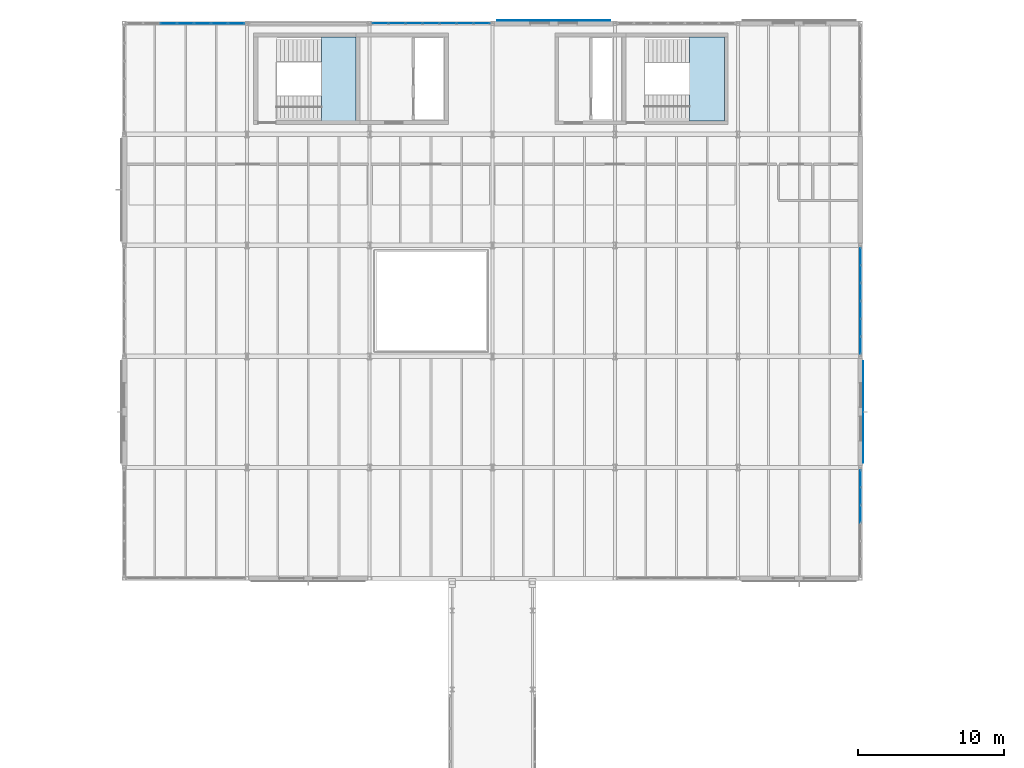
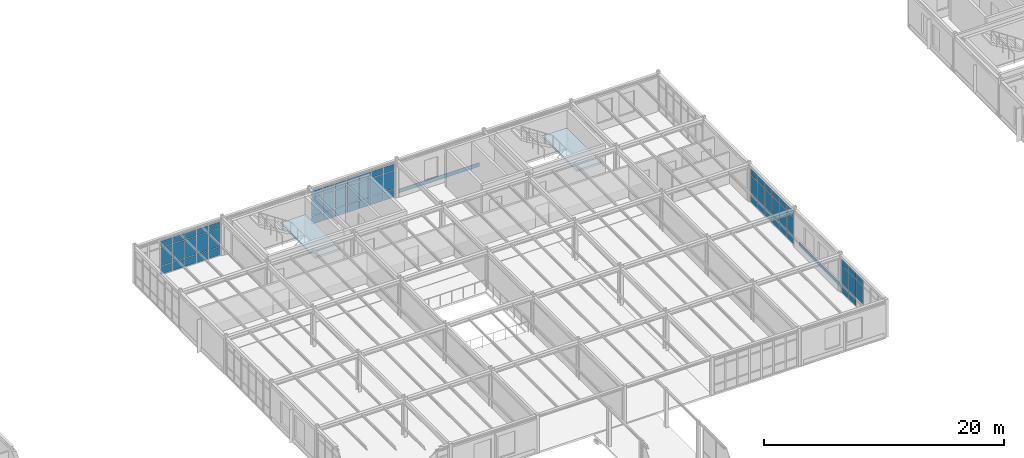
# One storey, part 148 of 189: 64 plates, 2 slabs, 6 elements without a shape of their own.
"""IFC4 building model written with IfcOpenShell, lengths in metres."""

from ifc_helpers import new_model, si_unit, direction, frame, origin, origin_2d, place, context, subcontext, project, spatial, polyline, rectangle, outline, extrude, material, layer, layer_set, type_object, element, aggregate, save


model = new_model("IFC4")

# Units and contexts
model_context = context("Model", 3, precision=1e-05, world=origin(), true_north=direction((0.0, 1.0)))
body_context = subcontext(model_context, "Body", "Model", "MODEL_VIEW")
ifc_project = project(units=[si_unit("LENGTHUNIT", "METRE"), si_unit("AREAUNIT", "SQUARE_METRE"), si_unit("VOLUMEUNIT", "CUBIC_METRE"), si_unit("PLANEANGLEUNIT", "RADIAN"), si_unit("MASSUNIT", "GRAM", prefix="KILO")], contexts=[model_context])

# Site, building, storey
site_placement = place(None, origin())
site = spatial("IfcSite", under=ifc_project, at=site_placement, CompositionType="ELEMENT")
building_placement = place(site_placement, origin())
building = spatial("IfcBuilding", under=site, at=building_placement, Name="Montecoro Central Library", CompositionType="ELEMENT")
storey_placement = place(building_placement, frame((0.0, 0.0, 9.179931640625)))
storey = spatial("IfcBuildingStorey", under=building, at=storey_placement, Name="L02", CompositionType="ELEMENT", Elevation=9.179931640625)

# Curtain wall, plates
ifc_material_1 = material(Name="Bronze-anodised aluminium and low-E glazing", Category="aluminium")
ifc_layer_1 = layer(ifc_material_1, 0.159912109375)
ifc_layer_set_1 = layer_set([ifc_layer_1], Name="Bronze-anodised aluminium and low-E glazing")
curtain_wall_type_1 = type_object("IfcCurtainWallType", Name="CWT-015", PredefinedType="NOTDEFINED", material=ifc_layer_set_1)
curtain_wall_1_placement = place(storey_placement, origin())
curtain_wall_1 = element("IfcCurtainWall", 1, at=curtain_wall_1_placement, inside=storey, type_object=curtain_wall_type_1, Name="V2-L02-CW-E2", PredefinedType="NOTDEFINED")
ifc_material_2 = material(Name="Laminated low-E double glazing", Category="glass")
ifc_layer_2 = layer(ifc_material_2, 0.02587890625)
ifc_layer_set_2 = layer_set([ifc_layer_2], Name="Laminated low-E double glazing")
plate_type_1 = type_object("IfcPlateType", Name="CWP-GLZ-01", PredefinedType="CURTAIN_PANEL", material=ifc_layer_set_2)
plate_1_placement = place(storey_placement, frame((116.800048828125, 96.959228515625, 0.06005859375), z_axis=(0.0, 0.0, 1.0), x_axis=(0.0, 1.0, 0.0)))
plate_1 = element("IfcPlate", 2, at=plate_1_placement, type_object=plate_type_1, Name="CW-015 panel 1.1", PredefinedType="CURTAIN_PANEL", context=body_context, shape_type="SweptSolid", body=[
    extrude(rectangle(XDim=1.13232421875, YDim=0.02587890625, at=origin_2d()), origin(), (0.0, 0.0, 1.0), 0.81005859375),
])
plate_2_placement = place(storey_placement, frame((116.800048828125, 96.959228515625, 0.93017578125), z_axis=(0.0, 0.0, 1.0), x_axis=(0.0, 1.0, 0.0)))
plate_2 = element("IfcPlate", 3, at=plate_2_placement, type_object=plate_type_1, Name="CW-015 panel 1.2", PredefinedType="CURTAIN_PANEL", context=body_context, shape_type="SweptSolid", body=[
    extrude(rectangle(XDim=1.13232421875, YDim=0.02587890625, at=origin_2d()), origin(), (0.0, 0.0, 1.0), 1.820068359375),
])
plate_3_placement = place(storey_placement, frame((116.800048828125, 96.959228515625, 2.81005859375), z_axis=(0.0, 0.0, 1.0), x_axis=(0.0, 1.0, 0.0)))
plate_3 = element("IfcPlate", 4, at=plate_3_placement, type_object=plate_type_1, Name="CW-015 panel 1.3", PredefinedType="CURTAIN_PANEL", context=body_context, shape_type="SweptSolid", body=[
    extrude(rectangle(XDim=1.13232421875, YDim=0.02587890625, at=origin_2d()), origin(), (0.0, 0.0, 1.0), 0.610107421875),
])
plate_4_placement = place(storey_placement, frame((116.800048828125, 98.16650390625, 0.06005859375), z_axis=(0.0, 0.0, 1.0), x_axis=(0.0, 1.0, 0.0)))
plate_4 = element("IfcPlate", 5, at=plate_4_placement, type_object=plate_type_1, Name="CW-015 panel 2.1", PredefinedType="CURTAIN_PANEL", context=body_context, shape_type="SweptSolid", body=[
    extrude(rectangle(XDim=1.162353515625, YDim=0.02587890625, at=origin_2d()), origin(), (0.0, 0.0, 1.0), 0.81005859375),
])
plate_5_placement = place(storey_placement, frame((116.800048828125, 98.16650390625, 0.93017578125), z_axis=(0.0, 0.0, 1.0), x_axis=(0.0, 1.0, 0.0)))
plate_5 = element("IfcPlate", 6, at=plate_5_placement, type_object=plate_type_1, Name="CW-015 panel 2.2", PredefinedType="CURTAIN_PANEL", context=body_context, shape_type="SweptSolid", body=[
    extrude(rectangle(XDim=1.162353515625, YDim=0.02587890625, at=origin_2d()), origin(), (0.0, 0.0, 1.0), 1.820068359375),
])
plate_6_placement = place(storey_placement, frame((116.800048828125, 98.16650390625, 2.81005859375), z_axis=(0.0, 0.0, 1.0), x_axis=(0.0, 1.0, 0.0)))
plate_6 = element("IfcPlate", 7, at=plate_6_placement, type_object=plate_type_1, Name="CW-015 panel 2.3", PredefinedType="CURTAIN_PANEL", context=body_context, shape_type="SweptSolid", body=[
    extrude(rectangle(XDim=1.162353515625, YDim=0.02587890625, at=origin_2d()), origin(), (0.0, 0.0, 1.0), 0.610107421875),
])
plate_7_placement = place(storey_placement, frame((116.800048828125, 99.388916015625, 0.06005859375), z_axis=(0.0, 0.0, 1.0), x_axis=(0.0, 1.0, 0.0)))
plate_7 = element("IfcPlate", 8, at=plate_7_placement, type_object=plate_type_1, Name="CW-015 panel 3.1", PredefinedType="CURTAIN_PANEL", context=body_context, shape_type="SweptSolid", body=[
    extrude(rectangle(XDim=1.162353515625, YDim=0.02587890625, at=origin_2d()), origin(), (0.0, 0.0, 1.0), 0.81005859375),
])
plate_8_placement = place(storey_placement, frame((116.800048828125, 99.388916015625, 0.93017578125), z_axis=(0.0, 0.0, 1.0), x_axis=(0.0, 1.0, 0.0)))
plate_8 = element("IfcPlate", 9, at=plate_8_placement, type_object=plate_type_1, Name="CW-015 panel 3.2", PredefinedType="CURTAIN_PANEL", context=body_context, shape_type="SweptSolid", body=[
    extrude(rectangle(XDim=1.162353515625, YDim=0.02587890625, at=origin_2d()), origin(), (0.0, 0.0, 1.0), 1.820068359375),
])
plate_9_placement = place(storey_placement, frame((116.800048828125, 99.388916015625, 2.81005859375), z_axis=(0.0, 0.0, 1.0), x_axis=(0.0, 1.0, 0.0)))
plate_9 = element("IfcPlate", 10, at=plate_9_placement, type_object=plate_type_1, Name="CW-015 panel 3.3", PredefinedType="CURTAIN_PANEL", context=body_context, shape_type="SweptSolid", body=[
    extrude(rectangle(XDim=1.162353515625, YDim=0.02587890625, at=origin_2d()), origin(), (0.0, 0.0, 1.0), 0.610107421875),
])
plate_10_placement = place(storey_placement, frame((116.800048828125, 100.611083984375, 0.06005859375), z_axis=(0.0, 0.0, 1.0), x_axis=(0.0, 1.0, 0.0)))
plate_10 = element("IfcPlate", 11, at=plate_10_placement, type_object=plate_type_1, Name="CW-015 panel 4.1", PredefinedType="CURTAIN_PANEL", context=body_context, shape_type="SweptSolid", body=[
    extrude(rectangle(XDim=1.162353515625, YDim=0.02587890625, at=origin_2d()), origin(), (0.0, 0.0, 1.0), 0.81005859375),
])
plate_11_placement = place(storey_placement, frame((116.800048828125, 100.611083984375, 0.93017578125), z_axis=(0.0, 0.0, 1.0), x_axis=(0.0, 1.0, 0.0)))
plate_11 = element("IfcPlate", 12, at=plate_11_placement, type_object=plate_type_1, Name="CW-015 panel 4.2", PredefinedType="CURTAIN_PANEL", context=body_context, shape_type="SweptSolid", body=[
    extrude(rectangle(XDim=1.162353515625, YDim=0.02587890625, at=origin_2d()), origin(), (0.0, 0.0, 1.0), 1.820068359375),
])
plate_12_placement = place(storey_placement, frame((116.800048828125, 100.611083984375, 2.81005859375), z_axis=(0.0, 0.0, 1.0), x_axis=(0.0, 1.0, 0.0)))
plate_12 = element("IfcPlate", 13, at=plate_12_placement, type_object=plate_type_1, Name="CW-015 panel 4.3", PredefinedType="CURTAIN_PANEL", context=body_context, shape_type="SweptSolid", body=[
    extrude(rectangle(XDim=1.162353515625, YDim=0.02587890625, at=origin_2d()), origin(), (0.0, 0.0, 1.0), 0.610107421875),
])
plate_13_placement = place(storey_placement, frame((116.800048828125, 101.83349609375, 0.06005859375), z_axis=(0.0, 0.0, 1.0), x_axis=(0.0, 1.0, 0.0)))
plate_13 = element("IfcPlate", 14, at=plate_13_placement, type_object=plate_type_1, Name="CW-015 panel 5.1", PredefinedType="CURTAIN_PANEL", context=body_context, shape_type="SweptSolid", body=[
    extrude(rectangle(XDim=1.162353515625, YDim=0.02587890625, at=origin_2d()), origin(), (0.0, 0.0, 1.0), 0.81005859375),
])
plate_14_placement = place(storey_placement, frame((116.800048828125, 101.83349609375, 0.93017578125), z_axis=(0.0, 0.0, 1.0), x_axis=(0.0, 1.0, 0.0)))
plate_14 = element("IfcPlate", 15, at=plate_14_placement, type_object=plate_type_1, Name="CW-015 panel 5.2", PredefinedType="CURTAIN_PANEL", context=body_context, shape_type="SweptSolid", body=[
    extrude(rectangle(XDim=1.162353515625, YDim=0.02587890625, at=origin_2d()), origin(), (0.0, 0.0, 1.0), 1.820068359375),
])
plate_15_placement = place(storey_placement, frame((116.800048828125, 101.83349609375, 2.81005859375), z_axis=(0.0, 0.0, 1.0), x_axis=(0.0, 1.0, 0.0)))
plate_15 = element("IfcPlate", 16, at=plate_15_placement, type_object=plate_type_1, Name="CW-015 panel 5.3", PredefinedType="CURTAIN_PANEL", context=body_context, shape_type="SweptSolid", body=[
    extrude(rectangle(XDim=1.162353515625, YDim=0.02587890625, at=origin_2d()), origin(), (0.0, 0.0, 1.0), 0.610107421875),
])
plate_16_placement = place(storey_placement, frame((116.800048828125, 103.040771484375, 0.06005859375), z_axis=(0.0, 0.0, 1.0), x_axis=(0.0, 1.0, 0.0)))
plate_16 = element("IfcPlate", 17, at=plate_16_placement, type_object=plate_type_1, Name="CW-015 panel 6.1", PredefinedType="CURTAIN_PANEL", context=body_context, shape_type="SweptSolid", body=[
    extrude(rectangle(XDim=1.13232421875, YDim=0.02587890625, at=origin_2d()), origin(), (0.0, 0.0, 1.0), 0.81005859375),
])
plate_17_placement = place(storey_placement, frame((116.800048828125, 103.040771484375, 0.93017578125), z_axis=(0.0, 0.0, 1.0), x_axis=(0.0, 1.0, 0.0)))
plate_17 = element("IfcPlate", 18, at=plate_17_placement, type_object=plate_type_1, Name="CW-015 panel 6.2", PredefinedType="CURTAIN_PANEL", context=body_context, shape_type="SweptSolid", body=[
    extrude(rectangle(XDim=1.13232421875, YDim=0.02587890625, at=origin_2d()), origin(), (0.0, 0.0, 1.0), 1.820068359375),
])
plate_18_placement = place(storey_placement, frame((116.800048828125, 103.040771484375, 2.81005859375), z_axis=(0.0, 0.0, 1.0), x_axis=(0.0, 1.0, 0.0)))
plate_18 = element("IfcPlate", 19, at=plate_18_placement, type_object=plate_type_1, Name="CW-015 panel 6.3", PredefinedType="CURTAIN_PANEL", context=body_context, shape_type="SweptSolid", body=[
    extrude(rectangle(XDim=1.13232421875, YDim=0.02587890625, at=origin_2d()), origin(), (0.0, 0.0, 1.0), 0.610107421875),
])
aggregate(curtain_wall_1, [plate_1, plate_2, plate_3, plate_4, plate_5, plate_6, plate_7, plate_8, plate_9, plate_10, plate_11, plate_12, plate_13, plate_14, plate_15, plate_16, plate_17, plate_18])

ifc_layer_3 = layer(ifc_material_1, 0.159912109375)
ifc_layer_set_3 = layer_set([ifc_layer_3], Name="Bronze-anodised aluminium and low-E glazing")
curtain_wall_type_2 = type_object("IfcCurtainWallType", Name="CWT-016", PredefinedType="NOTDEFINED", material=ifc_layer_set_3)
curtain_wall_2_placement = place(storey_placement, origin())
curtain_wall_2 = element("IfcCurtainWall", 20, at=curtain_wall_2_placement, inside=storey, type_object=curtain_wall_type_2, Name="V2-L02-CW-N2", PredefinedType="NOTDEFINED")
plate_19_placement = place(storey_placement, frame((90.87109375, 119.0, 0.06005859375), z_axis=(0.0, 0.0, 1.0), x_axis=(-1.0, 0.0, 0.0)))
plate_19 = element("IfcPlate", 21, at=plate_19_placement, type_object=plate_type_1, Name="CW-016 panel 1.1", PredefinedType="CURTAIN_PANEL", context=body_context, shape_type="SweptSolid", body=[
    extrude(rectangle(XDim=1.072021484375, YDim=0.02587890625, at=origin_2d()), origin(), (0.0, 0.0, 1.0), 0.81005859375),
])
plate_20_placement = place(storey_placement, frame((90.87109375, 119.0, 0.93017578125), z_axis=(0.0, 0.0, 1.0), x_axis=(-1.0, 0.0, 0.0)))
plate_20 = element("IfcPlate", 22, at=plate_20_placement, type_object=plate_type_1, Name="CW-016 panel 1.2", PredefinedType="CURTAIN_PANEL", context=body_context, shape_type="SweptSolid", body=[
    extrude(rectangle(XDim=1.072021484375, YDim=0.02587890625, at=origin_2d()), origin(), (0.0, 0.0, 1.0), 1.820068359375),
])
plate_21_placement = place(storey_placement, frame((90.87109375, 119.0, 2.81005859375), z_axis=(0.0, 0.0, 1.0), x_axis=(-1.0, 0.0, 0.0)))
plate_21 = element("IfcPlate", 23, at=plate_21_placement, type_object=plate_type_1, Name="CW-016 panel 1.3", PredefinedType="CURTAIN_PANEL", context=body_context, shape_type="SweptSolid", body=[
    extrude(rectangle(XDim=1.072021484375, YDim=0.02587890625, at=origin_2d()), origin(), (0.0, 0.0, 1.0), 0.610107421875),
])
plate_22_placement = place(storey_placement, frame((89.72412109375, 119.0, 0.06005859375), z_axis=(0.0, 0.0, 1.0), x_axis=(-1.0, 0.0, 0.0)))
plate_22 = element("IfcPlate", 24, at=plate_22_placement, type_object=plate_type_1, Name="CW-016 panel 2.1", PredefinedType="CURTAIN_PANEL", context=body_context, shape_type="SweptSolid", body=[
    extrude(rectangle(XDim=1.10205078125, YDim=0.02587890625, at=origin_2d()), origin(), (0.0, 0.0, 1.0), 0.81005859375),
])
plate_23_placement = place(storey_placement, frame((89.72412109375, 119.0, 0.93017578125), z_axis=(0.0, 0.0, 1.0), x_axis=(-1.0, 0.0, 0.0)))
plate_23 = element("IfcPlate", 25, at=plate_23_placement, type_object=plate_type_1, Name="CW-016 panel 2.2", PredefinedType="CURTAIN_PANEL", context=body_context, shape_type="SweptSolid", body=[
    extrude(rectangle(XDim=1.10205078125, YDim=0.02587890625, at=origin_2d()), origin(), (0.0, 0.0, 1.0), 1.820068359375),
])
plate_24_placement = place(storey_placement, frame((89.72412109375, 119.0, 2.81005859375), z_axis=(0.0, 0.0, 1.0), x_axis=(-1.0, 0.0, 0.0)))
plate_24 = element("IfcPlate", 26, at=plate_24_placement, type_object=plate_type_1, Name="CW-016 panel 2.3", PredefinedType="CURTAIN_PANEL", context=body_context, shape_type="SweptSolid", body=[
    extrude(rectangle(XDim=1.10205078125, YDim=0.02587890625, at=origin_2d()), origin(), (0.0, 0.0, 1.0), 0.610107421875),
])
plate_25_placement = place(storey_placement, frame((88.56201171875, 119.0, 0.06005859375), z_axis=(0.0, 0.0, 1.0), x_axis=(-1.0, 0.0, 0.0)))
plate_25 = element("IfcPlate", 27, at=plate_25_placement, type_object=plate_type_1, Name="CW-016 panel 3.1", PredefinedType="CURTAIN_PANEL", context=body_context, shape_type="SweptSolid", body=[
    extrude(rectangle(XDim=1.10205078125, YDim=0.02587890625, at=origin_2d()), origin(), (0.0, 0.0, 1.0), 0.81005859375),
])
plate_26_placement = place(storey_placement, frame((88.56201171875, 119.0, 0.93017578125), z_axis=(0.0, 0.0, 1.0), x_axis=(-1.0, 0.0, 0.0)))
plate_26 = element("IfcPlate", 28, at=plate_26_placement, type_object=plate_type_1, Name="CW-016 panel 3.2", PredefinedType="CURTAIN_PANEL", context=body_context, shape_type="SweptSolid", body=[
    extrude(rectangle(XDim=1.10205078125, YDim=0.02587890625, at=origin_2d()), origin(), (0.0, 0.0, 1.0), 1.820068359375),
])
plate_27_placement = place(storey_placement, frame((88.56201171875, 119.0, 2.81005859375), z_axis=(0.0, 0.0, 1.0), x_axis=(-1.0, 0.0, 0.0)))
plate_27 = element("IfcPlate", 29, at=plate_27_placement, type_object=plate_type_1, Name="CW-016 panel 3.3", PredefinedType="CURTAIN_PANEL", context=body_context, shape_type="SweptSolid", body=[
    extrude(rectangle(XDim=1.10205078125, YDim=0.02587890625, at=origin_2d()), origin(), (0.0, 0.0, 1.0), 0.610107421875),
])
plate_28_placement = place(storey_placement, frame((87.39990234375, 119.0, 0.06005859375), z_axis=(0.0, 0.0, 1.0), x_axis=(-1.0, 0.0, 0.0)))
plate_28 = element("IfcPlate", 30, at=plate_28_placement, type_object=plate_type_1, Name="CW-016 panel 4.1", PredefinedType="CURTAIN_PANEL", context=body_context, shape_type="SweptSolid", body=[
    extrude(rectangle(XDim=1.10205078125, YDim=0.02587890625, at=origin_2d()), origin(), (0.0, 0.0, 1.0), 0.81005859375),
])
plate_29_placement = place(storey_placement, frame((87.39990234375, 119.0, 0.93017578125), z_axis=(0.0, 0.0, 1.0), x_axis=(-1.0, 0.0, 0.0)))
plate_29 = element("IfcPlate", 31, at=plate_29_placement, type_object=plate_type_1, Name="CW-016 panel 4.2", PredefinedType="CURTAIN_PANEL", context=body_context, shape_type="SweptSolid", body=[
    extrude(rectangle(XDim=1.10205078125, YDim=0.02587890625, at=origin_2d()), origin(), (0.0, 0.0, 1.0), 1.820068359375),
])
plate_30_placement = place(storey_placement, frame((87.39990234375, 119.0, 2.81005859375), z_axis=(0.0, 0.0, 1.0), x_axis=(-1.0, 0.0, 0.0)))
plate_30 = element("IfcPlate", 32, at=plate_30_placement, type_object=plate_type_1, Name="CW-016 panel 4.3", PredefinedType="CURTAIN_PANEL", context=body_context, shape_type="SweptSolid", body=[
    extrude(rectangle(XDim=1.10205078125, YDim=0.02587890625, at=origin_2d()), origin(), (0.0, 0.0, 1.0), 0.610107421875),
])
plate_31_placement = place(storey_placement, frame((86.238037109375, 119.0, 0.06005859375), z_axis=(0.0, 0.0, 1.0), x_axis=(-1.0, 0.0, 0.0)))
plate_31 = element("IfcPlate", 33, at=plate_31_placement, type_object=plate_type_1, Name="CW-016 panel 5.1", PredefinedType="CURTAIN_PANEL", context=body_context, shape_type="SweptSolid", body=[
    extrude(rectangle(XDim=1.10205078125, YDim=0.02587890625, at=origin_2d()), origin(), (0.0, 0.0, 1.0), 0.81005859375),
])
plate_32_placement = place(storey_placement, frame((86.238037109375, 119.0, 0.93017578125), z_axis=(0.0, 0.0, 1.0), x_axis=(-1.0, 0.0, 0.0)))
plate_32 = element("IfcPlate", 34, at=plate_32_placement, type_object=plate_type_1, Name="CW-016 panel 5.2", PredefinedType="CURTAIN_PANEL", context=body_context, shape_type="SweptSolid", body=[
    extrude(rectangle(XDim=1.10205078125, YDim=0.02587890625, at=origin_2d()), origin(), (0.0, 0.0, 1.0), 1.820068359375),
])
plate_33_placement = place(storey_placement, frame((86.238037109375, 119.0, 2.81005859375), z_axis=(0.0, 0.0, 1.0), x_axis=(-1.0, 0.0, 0.0)))
plate_33 = element("IfcPlate", 35, at=plate_33_placement, type_object=plate_type_1, Name="CW-016 panel 5.3", PredefinedType="CURTAIN_PANEL", context=body_context, shape_type="SweptSolid", body=[
    extrude(rectangle(XDim=1.10205078125, YDim=0.02587890625, at=origin_2d()), origin(), (0.0, 0.0, 1.0), 0.610107421875),
])
plate_34_placement = place(storey_placement, frame((85.075927734375, 119.0, 0.06005859375), z_axis=(0.0, 0.0, 1.0), x_axis=(-1.0, 0.0, 0.0)))
plate_34 = element("IfcPlate", 36, at=plate_34_placement, type_object=plate_type_1, Name="CW-016 panel 6.1", PredefinedType="CURTAIN_PANEL", context=body_context, shape_type="SweptSolid", body=[
    extrude(rectangle(XDim=1.10205078125, YDim=0.02587890625, at=origin_2d()), origin(), (0.0, 0.0, 1.0), 0.81005859375),
])
plate_35_placement = place(storey_placement, frame((85.075927734375, 119.0, 0.93017578125), z_axis=(0.0, 0.0, 1.0), x_axis=(-1.0, 0.0, 0.0)))
plate_35 = element("IfcPlate", 37, at=plate_35_placement, type_object=plate_type_1, Name="CW-016 panel 6.2", PredefinedType="CURTAIN_PANEL", context=body_context, shape_type="SweptSolid", body=[
    extrude(rectangle(XDim=1.10205078125, YDim=0.02587890625, at=origin_2d()), origin(), (0.0, 0.0, 1.0), 1.820068359375),
])
plate_36_placement = place(storey_placement, frame((85.075927734375, 119.0, 2.81005859375), z_axis=(0.0, 0.0, 1.0), x_axis=(-1.0, 0.0, 0.0)))
plate_36 = element("IfcPlate", 38, at=plate_36_placement, type_object=plate_type_1, Name="CW-016 panel 6.3", PredefinedType="CURTAIN_PANEL", context=body_context, shape_type="SweptSolid", body=[
    extrude(rectangle(XDim=1.10205078125, YDim=0.02587890625, at=origin_2d()), origin(), (0.0, 0.0, 1.0), 0.610107421875),
])
plate_37_placement = place(storey_placement, frame((83.928955078125, 119.0, 0.06005859375), z_axis=(0.0, 0.0, 1.0), x_axis=(-1.0, 0.0, 0.0)))
plate_37 = element("IfcPlate", 39, at=plate_37_placement, type_object=plate_type_1, Name="CW-016 panel 7.1", PredefinedType="CURTAIN_PANEL", context=body_context, shape_type="SweptSolid", body=[
    extrude(rectangle(XDim=1.072021484375, YDim=0.02587890625, at=origin_2d()), origin(), (0.0, 0.0, 1.0), 0.81005859375),
])
plate_38_placement = place(storey_placement, frame((83.928955078125, 119.0, 0.93017578125), z_axis=(0.0, 0.0, 1.0), x_axis=(-1.0, 0.0, 0.0)))
plate_38 = element("IfcPlate", 40, at=plate_38_placement, type_object=plate_type_1, Name="CW-016 panel 7.2", PredefinedType="CURTAIN_PANEL", context=body_context, shape_type="SweptSolid", body=[
    extrude(rectangle(XDim=1.072021484375, YDim=0.02587890625, at=origin_2d()), origin(), (0.0, 0.0, 1.0), 1.820068359375),
])
plate_39_placement = place(storey_placement, frame((83.928955078125, 119.0, 2.81005859375), z_axis=(0.0, 0.0, 1.0), x_axis=(-1.0, 0.0, 0.0)))
plate_39 = element("IfcPlate", 41, at=plate_39_placement, type_object=plate_type_1, Name="CW-016 panel 7.3", PredefinedType="CURTAIN_PANEL", context=body_context, shape_type="SweptSolid", body=[
    extrude(rectangle(XDim=1.072021484375, YDim=0.02587890625, at=origin_2d()), origin(), (0.0, 0.0, 1.0), 0.610107421875),
])
aggregate(curtain_wall_2, [plate_19, plate_20, plate_21, plate_22, plate_23, plate_24, plate_25, plate_26, plate_27, plate_28, plate_29, plate_30, plate_31, plate_32, plate_33, plate_34, plate_35, plate_36, plate_37, plate_38, plate_39])

curtain_wall_3_placement = place(storey_placement, origin())
curtain_wall_3 = element("IfcCurtainWall", 42, at=curtain_wall_3_placement, inside=storey, type_object=curtain_wall_type_1, Name="V2-L02-CW-E0", PredefinedType="NOTDEFINED")
ifc_layer_4 = layer(ifc_material_2, 0.0380859375)
ifc_layer_set_4 = layer_set([ifc_layer_4], Name="Laminated low-E double glazing")
plate_type_2 = type_object("IfcPlateType", Name="CWP-GLZ-04", PredefinedType="CURTAIN_PANEL", material=ifc_layer_set_4)
plate_40_placement = place(storey_placement, frame((116.800048828125, 85.4111328125, 0.93017578125), z_axis=(0.0, 0.0, 1.0), x_axis=(0.0, 1.0, 0.0)))
plate_40 = element("IfcPlate", 43, at=plate_40_placement, type_object=plate_type_2, Name="CW-015 panel 4.2", PredefinedType="CURTAIN_PANEL", context=body_context, shape_type="SweptSolid", body=[
    extrude(rectangle(XDim=1.162353515625, YDim=0.0380859375, at=origin_2d()), origin(), (0.0, 0.0, 1.0), 1.820068359375),
])
plate_41_placement = place(storey_placement, frame((116.800048828125, 85.4111328125, 2.81005859375), z_axis=(0.0, 0.0, 1.0), x_axis=(0.0, 1.0, 0.0)))
plate_41 = element("IfcPlate", 44, at=plate_41_placement, type_object=plate_type_2, Name="CW-015 panel 4.3", PredefinedType="CURTAIN_PANEL", context=body_context, shape_type="SweptSolid", body=[
    extrude(rectangle(XDim=1.162353515625, YDim=0.0380859375, at=origin_2d()), origin(), (0.0, 0.0, 1.0), 0.610107421875),
])
plate_42_placement = place(storey_placement, frame((116.800048828125, 86.633544921875, 0.06005859375), z_axis=(0.0, 0.0, 1.0), x_axis=(0.0, 1.0, 0.0)))
plate_42 = element("IfcPlate", 45, at=plate_42_placement, type_object=plate_type_2, Name="CW-015 panel 5.1", PredefinedType="CURTAIN_PANEL", context=body_context, shape_type="SweptSolid", body=[
    extrude(rectangle(XDim=1.162353515625, YDim=0.0380859375, at=origin_2d()), origin(), (0.0, 0.0, 1.0), 0.81005859375),
])
plate_43_placement = place(storey_placement, frame((116.800048828125, 86.633544921875, 0.93017578125), z_axis=(0.0, 0.0, 1.0), x_axis=(0.0, 1.0, 0.0)))
plate_43 = element("IfcPlate", 46, at=plate_43_placement, type_object=plate_type_2, Name="CW-015 panel 5.2", PredefinedType="CURTAIN_PANEL", context=body_context, shape_type="SweptSolid", body=[
    extrude(rectangle(XDim=1.162353515625, YDim=0.0380859375, at=origin_2d()), origin(), (0.0, 0.0, 1.0), 1.820068359375),
])
plate_44_placement = place(storey_placement, frame((116.800048828125, 86.633544921875, 2.81005859375), z_axis=(0.0, 0.0, 1.0), x_axis=(0.0, 1.0, 0.0)))
plate_44 = element("IfcPlate", 47, at=plate_44_placement, type_object=plate_type_2, Name="CW-015 panel 5.3", PredefinedType="CURTAIN_PANEL", context=body_context, shape_type="SweptSolid", body=[
    extrude(rectangle(XDim=1.162353515625, YDim=0.0380859375, at=origin_2d()), origin(), (0.0, 0.0, 1.0), 0.610107421875),
])
plate_45_placement = place(storey_placement, frame((116.800048828125, 87.8408203125, 0.06005859375), z_axis=(0.0, 0.0, 1.0), x_axis=(0.0, 1.0, 0.0)))
plate_45 = element("IfcPlate", 48, at=plate_45_placement, type_object=plate_type_2, Name="CW-015 panel 6.1", PredefinedType="CURTAIN_PANEL", context=body_context, shape_type="SweptSolid", body=[
    extrude(rectangle(XDim=1.13232421875, YDim=0.0380859375, at=origin_2d()), origin(), (0.0, 0.0, 1.0), 0.81005859375),
])
plate_46_placement = place(storey_placement, frame((116.800048828125, 87.8408203125, 0.93017578125), z_axis=(0.0, 0.0, 1.0), x_axis=(0.0, 1.0, 0.0)))
plate_46 = element("IfcPlate", 49, at=plate_46_placement, type_object=plate_type_2, Name="CW-015 panel 6.2", PredefinedType="CURTAIN_PANEL", context=body_context, shape_type="SweptSolid", body=[
    extrude(rectangle(XDim=1.13232421875, YDim=0.0380859375, at=origin_2d()), origin(), (0.0, 0.0, 1.0), 1.820068359375),
])
plate_47_placement = place(storey_placement, frame((116.800048828125, 87.8408203125, 2.81005859375), z_axis=(0.0, 0.0, 1.0), x_axis=(0.0, 1.0, 0.0)))
plate_47 = element("IfcPlate", 50, at=plate_47_placement, type_object=plate_type_2, Name="CW-015 panel 6.3", PredefinedType="CURTAIN_PANEL", context=body_context, shape_type="SweptSolid", body=[
    extrude(rectangle(XDim=1.13232421875, YDim=0.0380859375, at=origin_2d()), origin(), (0.0, 0.0, 1.0), 0.610107421875),
])
aggregate(curtain_wall_3, [plate_40, plate_41, plate_42, plate_43, plate_44, plate_45, plate_46, plate_47])

curtain_wall_4_placement = place(storey_placement, origin())
curtain_wall_4 = element("IfcCurtainWall", 51, at=curtain_wall_4_placement, inside=storey, type_object=curtain_wall_type_2, Name="V2-L02-CW-N0", PredefinedType="NOTDEFINED")
plate_48_placement = place(storey_placement, frame((74.071044921875, 119.0, 0.06005859375), z_axis=(0.0, 0.0, 1.0), x_axis=(-1.0, 0.0, 0.0)))
plate_48 = element("IfcPlate", 52, at=plate_48_placement, type_object=plate_type_2, Name="CW-016 panel 1.1", PredefinedType="CURTAIN_PANEL", context=body_context, shape_type="SweptSolid", body=[
    extrude(rectangle(XDim=1.072021484375, YDim=0.0380859375, at=origin_2d()), origin(), (0.0, 0.0, 1.0), 0.81005859375),
])
plate_49_placement = place(storey_placement, frame((74.071044921875, 119.0, 0.93017578125), z_axis=(0.0, 0.0, 1.0), x_axis=(-1.0, 0.0, 0.0)))
plate_49 = element("IfcPlate", 53, at=plate_49_placement, type_object=plate_type_2, Name="CW-016 panel 1.2", PredefinedType="CURTAIN_PANEL", context=body_context, shape_type="SweptSolid", body=[
    extrude(rectangle(XDim=1.072021484375, YDim=0.0380859375, at=origin_2d()), origin(), (0.0, 0.0, 1.0), 1.820068359375),
])
plate_50_placement = place(storey_placement, frame((74.071044921875, 119.0, 2.81005859375), z_axis=(0.0, 0.0, 1.0), x_axis=(-1.0, 0.0, 0.0)))
plate_50 = element("IfcPlate", 54, at=plate_50_placement, type_object=plate_type_2, Name="CW-016 panel 1.3", PredefinedType="CURTAIN_PANEL", context=body_context, shape_type="SweptSolid", body=[
    extrude(rectangle(XDim=1.072021484375, YDim=0.0380859375, at=origin_2d()), origin(), (0.0, 0.0, 1.0), 0.610107421875),
])
plate_51_placement = place(storey_placement, frame((72.924072265625, 119.0, 0.06005859375), z_axis=(0.0, 0.0, 1.0), x_axis=(-1.0, 0.0, 0.0)))
plate_51 = element("IfcPlate", 55, at=plate_51_placement, type_object=plate_type_2, Name="CW-016 panel 2.1", PredefinedType="CURTAIN_PANEL", context=body_context, shape_type="SweptSolid", body=[
    extrude(rectangle(XDim=1.10205078125, YDim=0.0380859375, at=origin_2d()), origin(), (0.0, 0.0, 1.0), 0.81005859375),
])
plate_52_placement = place(storey_placement, frame((72.924072265625, 119.0, 0.93017578125), z_axis=(0.0, 0.0, 1.0), x_axis=(-1.0, 0.0, 0.0)))
plate_52 = element("IfcPlate", 56, at=plate_52_placement, type_object=plate_type_2, Name="CW-016 panel 2.2", PredefinedType="CURTAIN_PANEL", context=body_context, shape_type="SweptSolid", body=[
    extrude(rectangle(XDim=1.10205078125, YDim=0.0380859375, at=origin_2d()), origin(), (0.0, 0.0, 1.0), 1.820068359375),
])
plate_53_placement = place(storey_placement, frame((72.924072265625, 119.0, 2.81005859375), z_axis=(0.0, 0.0, 1.0), x_axis=(-1.0, 0.0, 0.0)))
plate_53 = element("IfcPlate", 57, at=plate_53_placement, type_object=plate_type_2, Name="CW-016 panel 2.3", PredefinedType="CURTAIN_PANEL", context=body_context, shape_type="SweptSolid", body=[
    extrude(rectangle(XDim=1.10205078125, YDim=0.0380859375, at=origin_2d()), origin(), (0.0, 0.0, 1.0), 0.610107421875),
])
plate_54_placement = place(storey_placement, frame((71.761962890625, 119.0, 0.06005859375), z_axis=(0.0, 0.0, 1.0), x_axis=(-1.0, 0.0, 0.0)))
plate_54 = element("IfcPlate", 58, at=plate_54_placement, type_object=plate_type_2, Name="CW-016 panel 3.1", PredefinedType="CURTAIN_PANEL", context=body_context, shape_type="SweptSolid", body=[
    extrude(rectangle(XDim=1.10205078125, YDim=0.0380859375, at=origin_2d()), origin(), (0.0, 0.0, 1.0), 0.81005859375),
])
plate_55_placement = place(storey_placement, frame((71.761962890625, 119.0, 0.93017578125), z_axis=(0.0, 0.0, 1.0), x_axis=(-1.0, 0.0, 0.0)))
plate_55 = element("IfcPlate", 59, at=plate_55_placement, type_object=plate_type_2, Name="CW-016 panel 3.2", PredefinedType="CURTAIN_PANEL", context=body_context, shape_type="SweptSolid", body=[
    extrude(rectangle(XDim=1.10205078125, YDim=0.0380859375, at=origin_2d()), origin(), (0.0, 0.0, 1.0), 1.820068359375),
])
plate_56_placement = place(storey_placement, frame((71.761962890625, 119.0, 2.81005859375), z_axis=(0.0, 0.0, 1.0), x_axis=(-1.0, 0.0, 0.0)))
plate_56 = element("IfcPlate", 60, at=plate_56_placement, type_object=plate_type_2, Name="CW-016 panel 3.3", PredefinedType="CURTAIN_PANEL", context=body_context, shape_type="SweptSolid", body=[
    extrude(rectangle(XDim=1.10205078125, YDim=0.0380859375, at=origin_2d()), origin(), (0.0, 0.0, 1.0), 0.610107421875),
])
plate_57_placement = place(storey_placement, frame((70.60009765625, 119.0, 0.06005859375), z_axis=(0.0, 0.0, 1.0), x_axis=(-1.0, 0.0, 0.0)))
plate_57 = element("IfcPlate", 61, at=plate_57_placement, type_object=plate_type_2, Name="CW-016 panel 4.1", PredefinedType="CURTAIN_PANEL", context=body_context, shape_type="SweptSolid", body=[
    extrude(rectangle(XDim=1.10205078125, YDim=0.0380859375, at=origin_2d()), origin(), (0.0, 0.0, 1.0), 0.81005859375),
])
plate_58_placement = place(storey_placement, frame((70.60009765625, 119.0, 0.93017578125), z_axis=(0.0, 0.0, 1.0), x_axis=(-1.0, 0.0, 0.0)))
plate_58 = element("IfcPlate", 62, at=plate_58_placement, type_object=plate_type_2, Name="CW-016 panel 4.2", PredefinedType="CURTAIN_PANEL", context=body_context, shape_type="SweptSolid", body=[
    extrude(rectangle(XDim=1.10205078125, YDim=0.0380859375, at=origin_2d()), origin(), (0.0, 0.0, 1.0), 1.820068359375),
])
plate_59_placement = place(storey_placement, frame((70.60009765625, 119.0, 2.81005859375), z_axis=(0.0, 0.0, 1.0), x_axis=(-1.0, 0.0, 0.0)))
plate_59 = element("IfcPlate", 63, at=plate_59_placement, type_object=plate_type_2, Name="CW-016 panel 4.3", PredefinedType="CURTAIN_PANEL", context=body_context, shape_type="SweptSolid", body=[
    extrude(rectangle(XDim=1.10205078125, YDim=0.0380859375, at=origin_2d()), origin(), (0.0, 0.0, 1.0), 0.610107421875),
])
plate_60_placement = place(storey_placement, frame((69.43798828125, 119.0, 0.06005859375), z_axis=(0.0, 0.0, 1.0), x_axis=(-1.0, 0.0, 0.0)))
plate_60 = element("IfcPlate", 64, at=plate_60_placement, type_object=plate_type_2, Name="CW-016 panel 5.1", PredefinedType="CURTAIN_PANEL", context=body_context, shape_type="SweptSolid", body=[
    extrude(rectangle(XDim=1.10205078125, YDim=0.0380859375, at=origin_2d()), origin(), (0.0, 0.0, 1.0), 0.81005859375),
])
plate_61_placement = place(storey_placement, frame((69.43798828125, 119.0, 0.93017578125), z_axis=(0.0, 0.0, 1.0), x_axis=(-1.0, 0.0, 0.0)))
plate_61 = element("IfcPlate", 65, at=plate_61_placement, type_object=plate_type_2, Name="CW-016 panel 5.2", PredefinedType="CURTAIN_PANEL", context=body_context, shape_type="SweptSolid", body=[
    extrude(rectangle(XDim=1.10205078125, YDim=0.0380859375, at=origin_2d()), origin(), (0.0, 0.0, 1.0), 1.820068359375),
])
plate_62_placement = place(storey_placement, frame((69.43798828125, 119.0, 2.81005859375), z_axis=(0.0, 0.0, 1.0), x_axis=(-1.0, 0.0, 0.0)))
plate_62 = element("IfcPlate", 66, at=plate_62_placement, type_object=plate_type_2, Name="CW-016 panel 5.3", PredefinedType="CURTAIN_PANEL", context=body_context, shape_type="SweptSolid", body=[
    extrude(rectangle(XDim=1.10205078125, YDim=0.0380859375, at=origin_2d()), origin(), (0.0, 0.0, 1.0), 0.610107421875),
])
aggregate(curtain_wall_4, [plate_48, plate_49, plate_50, plate_51, plate_52, plate_53, plate_54, plate_55, plate_56, plate_57, plate_58, plate_59, plate_60, plate_61, plate_62])

# Plates
ifc_material_3 = material(Name="Architectural bronze spandrel plate", Category="aluminium")
ifc_layer_5 = layer(ifc_material_3, 0.02197265625)
ifc_layer_set_5 = layer_set([ifc_layer_5], Name="Architectural bronze spandrel plate")
plate_type_3 = type_object("IfcPlateType", Name="PLT-SPN-01", PredefinedType="SHEET", material=ifc_layer_set_5)
plate_63_placement = place(storey_placement, frame((116.9833984375, 92.39990234375, 0.16015625), z_axis=(0.0, 0.0, 1.0), x_axis=(0.0, 1.0, 0.0)))
element("IfcPlate", 67, at=plate_63_placement, inside=storey, type_object=plate_type_3, Name="V2-L02-SPN-E1", PredefinedType="SHEET", context=body_context, shape_type="SweptSolid", body=[
    extrude(rectangle(XDim=6.93408203125, YDim=0.02197265625, at=origin_2d()), origin(), (0.0, 0.0, 1.0), 0.39990234375),
])
ifc_layer_6 = layer(ifc_material_3, 0.035888671875)
ifc_layer_set_6 = layer_set([ifc_layer_6], Name="Architectural bronze spandrel plate")
plate_type_4 = type_object("IfcPlateType", Name="PLT-SPN-03", PredefinedType="SHEET", material=ifc_layer_set_6)
plate_64_placement = place(storey_placement, frame((95.800048828125, 119.1904296875, 0.16015625), z_axis=(0.0, 0.0, 1.0), x_axis=(-1.0, 0.0, 0.0)))
element("IfcPlate", 68, at=plate_64_placement, inside=storey, type_object=plate_type_4, Name="V2-L02-SPN-N3", PredefinedType="SHEET", context=body_context, shape_type="SweptSolid", body=[
    extrude(rectangle(XDim=7.73388671875, YDim=0.035888671875, at=origin_2d()), origin(), (0.0, 0.0, 1.0), 0.39990234375),
])

# Stair, slab
ifc_material_4 = material(Name="Concrete C35/45", Category="concrete")
stair_type_1 = type_object("IfcStairType", Name="STR-RET-155", PredefinedType="HALF_TURN_STAIR", material=ifc_material_4)
stair_1_placement = place(storey_placement, origin())
stair_1 = element("IfcStair", 69, at=stair_1_placement, inside=storey, type_object=stair_type_1, Name="C2-L02-STR", PredefinedType="HALF_TURN_STAIR")
ifc_layer_7 = layer(ifc_material_4, 0.199951171875)
ifc_layer_set_7 = layer_set([ifc_layer_7], Name="Concrete C35/45")
slab_type = type_object("IfcSlabType", Name="SL-LND-200", PredefinedType="LANDING", material=ifc_layer_set_7)
slab_1_placement = place(storey_placement, frame((0.0, 0.0, 1.840087890625)))
slab_1 = element("IfcSlab", 70, at=slab_1_placement, type_object=slab_type, Name="ST-02 landing 1", PredefinedType="LANDING", context=body_context, shape_type="SweptSolid", body=[
    extrude(outline(polyline([(79.89990234375, 112.320068359375), (82.280029296875, 112.320068359375), (82.280029296875, 118.080078125), (79.89990234375, 118.080078125), (79.89990234375, 112.320068359375)])), origin(), (0.0, 0.0, 1.0), 0.199951171875),
])
aggregate(stair_1, [slab_1])

stair_type_2 = type_object("IfcStairType", Name="STR-RET-160", PredefinedType="HALF_TURN_STAIR", material=ifc_material_4)
stair_2_placement = place(storey_placement, origin())
stair_2 = element("IfcStair", 71, at=stair_2_placement, inside=storey, type_object=stair_type_2, Name="C3-L02-STR", PredefinedType="HALF_TURN_STAIR")
slab_2_placement = place(storey_placement, frame((0.0, 0.0, 1.840087890625)))
slab_2 = element("IfcSlab", 72, at=slab_2_placement, type_object=slab_type, Name="ST-03 landing 1", PredefinedType="LANDING", context=body_context, shape_type="SweptSolid", body=[
    extrude(outline(polyline([(105.10009765625, 112.320068359375), (107.47998046875, 112.320068359375), (107.47998046875, 118.080078125), (105.10009765625, 118.080078125), (105.10009765625, 112.320068359375)])), origin(), (0.0, 0.0, 1.0), 0.199951171875),
])
aggregate(stair_2, [slab_2])

save(model, "model.ifc")
